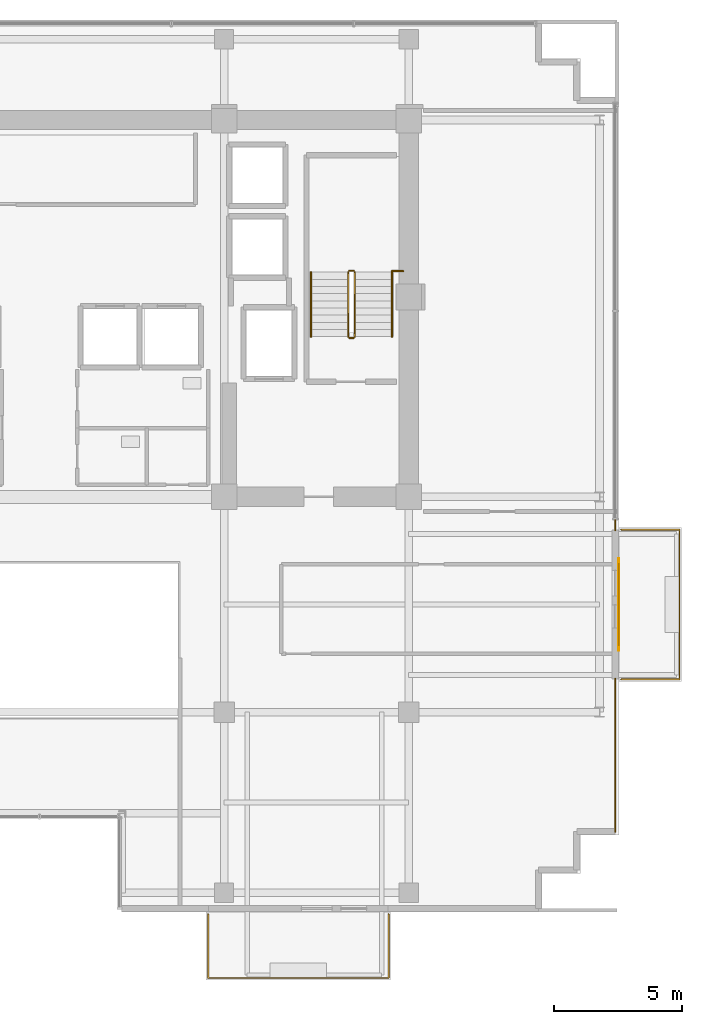
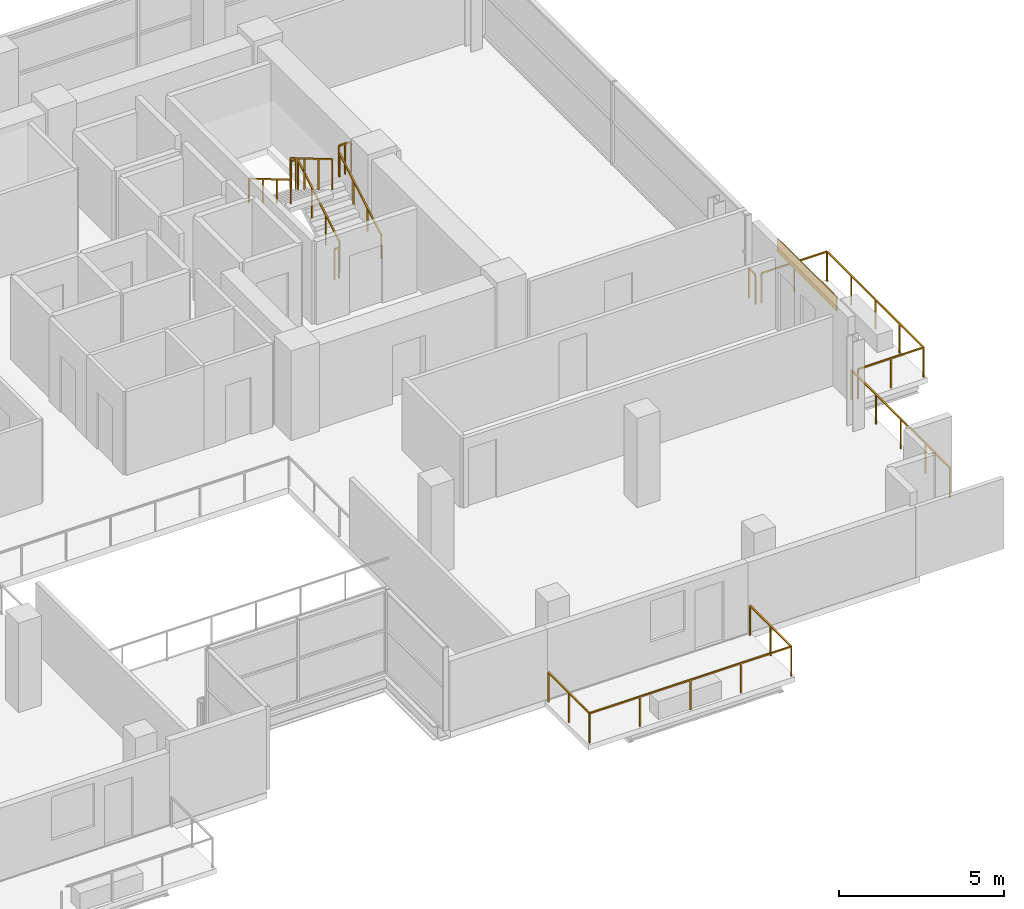
# One storey, part 24 of 25: 11 railings, 1 covering, 1 shading device.
"""IFC4 building model written with IfcOpenShell, lengths in metres."""

from ifc_helpers import new_model, si_unit, direction, frame, origin, origin_2d, place, context, subcontext, project, spatial, rectangle, extrude, source, transform, mapped, material, layer, layer_set, type_object, element, save


model = new_model("IFC4")

# Units and contexts
model_context = context("Model", 3, precision=1e-05, world=origin(), true_north=direction((0.0, 1.0)))
body_context = subcontext(model_context, "Body", "Model", "MODEL_VIEW")
ifc_project = project(units=[si_unit("LENGTHUNIT", "METRE"), si_unit("AREAUNIT", "SQUARE_METRE"), si_unit("VOLUMEUNIT", "CUBIC_METRE"), si_unit("PLANEANGLEUNIT", "RADIAN"), si_unit("MASSUNIT", "GRAM", prefix="KILO")], contexts=[model_context])

# Site, building, storey
site_placement = place(None, origin())
site = spatial("IfcSite", under=ifc_project, at=site_placement, CompositionType="ELEMENT")
building_placement = place(site_placement, origin())
building = spatial("IfcBuilding", under=site, at=building_placement, Name="Zarnakvel Exchange Tower", CompositionType="ELEMENT")
storey_placement = place(building_placement, frame((0.0, 0.0, 169.300048828125)))
storey = spatial("IfcBuildingStorey", under=building, at=storey_placement, Name="L47", CompositionType="ELEMENT", Elevation=169.300048828125)

# Railings
ifc_material_1 = material(Name="Architectural Bronze Anodised Aluminium", Category="aluminium")
railing_type_1 = type_object("IfcRailingType", Name="GR-02", PredefinedType="GUARDRAIL", material=ifc_material_1)
railing_1_placement = place(storey_placement, frame((6.580078125, -17.47998046875, -0.03515625)))
element("IfcRailing", 1, at=railing_1_placement, inside=storey, type_object=railing_type_1, Name="L47 Balcony Guardrail BAL-L47-SE", PredefinedType="GUARDRAIL", context=body_context, shape_type="SweptSolid", body=[
    extrude(rectangle(XDim=0.048095703125, YDim=0.048095703125, at=origin_2d()), frame((0.0, 0.0, 1.09619140625), z_axis=(0.0, -1.0, 0.0), x_axis=(1.0, 0.0, 0.0)), (0.0, 0.0, 1.0), 2.489990234375),
    extrude(rectangle(XDim=0.048095703125, YDim=0.048095703125, at=origin_2d()), frame((0.0, -2.489990234375, 1.09619140625), z_axis=(1.0, 0.0, 0.0), x_axis=(0.0, 1.0, 0.0)), (0.0, 0.0, 1.0), 7.0400390625),
    extrude(rectangle(XDim=0.048095703125, YDim=0.048095703125, at=origin_2d()), frame((7.0400390625, -2.489990234375, 1.09619140625), z_axis=(0.0, 1.0, 0.0), x_axis=(-1.0, 0.0, 0.0)), (0.0, 0.0, 1.0), 2.489990234375),
    extrude(rectangle(XDim=0.0419921875, YDim=0.0419921875, at=origin_2d()), origin(), (0.0, 0.0, 1.0), 1.072021484375),
    extrude(rectangle(XDim=0.0419921875, YDim=0.0419921875, at=origin_2d()), frame((0.0, -1.2451171875, 0.0)), (0.0, 0.0, 1.0), 1.072021484375),
    extrude(rectangle(XDim=0.0419921875, YDim=0.0419921875, at=origin_2d()), frame((0.0, -2.489990234375, 0.0)), (0.0, 0.0, 1.0), 1.072021484375),
    extrude(rectangle(XDim=0.0419921875, YDim=0.0419921875, at=origin_2d()), frame((1.760009765625, -2.489990234375, 0.0)), (0.0, 0.0, 1.0), 1.072021484375),
    extrude(rectangle(XDim=0.0419921875, YDim=0.0419921875, at=origin_2d()), frame((3.52001953125, -2.489990234375, 0.0)), (0.0, 0.0, 1.0), 1.072021484375),
    extrude(rectangle(XDim=0.0419921875, YDim=0.0419921875, at=origin_2d()), frame((5.280029296875, -2.489990234375, 0.0)), (0.0, 0.0, 1.0), 1.072021484375),
    extrude(rectangle(XDim=0.0419921875, YDim=0.0419921875, at=origin_2d()), frame((7.0400390625, -2.489990234375, 0.0)), (0.0, 0.0, 1.0), 1.072021484375),
    extrude(rectangle(XDim=0.0419921875, YDim=0.0419921875, at=origin_2d()), frame((7.0400390625, -1.2451171875, 0.0)), (0.0, 0.0, 1.0), 1.072021484375),
    extrude(rectangle(XDim=0.0419921875, YDim=0.0419921875, at=origin_2d()), frame((7.0400390625, 0.0, 0.0)), (0.0, 0.0, 1.0), 1.072021484375),
])
railing_2_placement = place(storey_placement, frame((22.679931640625, -8.320068359375, -0.03515625)))
element("IfcRailing", 2, at=railing_2_placement, inside=storey, type_object=railing_type_1, Name="L47 Balcony Guardrail BAL-L47-E", PredefinedType="GUARDRAIL", context=body_context, shape_type="SweptSolid", body=[
    extrude(rectangle(XDim=0.048095703125, YDim=0.048095703125, at=origin_2d()), frame((0.0, 0.0, 1.09619140625), z_axis=(1.0, 0.0, 0.0), x_axis=(0.0, 1.0, 0.0)), (0.0, 0.0, 1.0), 2.2900390625),
    extrude(rectangle(XDim=0.048095703125, YDim=0.048095703125, at=origin_2d()), frame((2.2900390625, 0.0, 1.09619140625), z_axis=(0.0, 1.0, 0.0), x_axis=(-1.0, 0.0, 0.0)), (0.0, 0.0, 1.0), 5.840087890625),
    extrude(rectangle(XDim=0.048095703125, YDim=0.048095703125, at=origin_2d()), frame((2.2900390625, 5.840087890625, 1.09619140625), z_axis=(-1.0, 0.0, 0.0), x_axis=(0.0, -1.0, 0.0)), (0.0, 0.0, 1.0), 2.2900390625),
    extrude(rectangle(XDim=0.0419921875, YDim=0.0419921875, at=origin_2d()), origin(), (0.0, 0.0, 1.0), 1.072021484375),
    extrude(rectangle(XDim=0.0419921875, YDim=0.0419921875, at=origin_2d()), frame((1.14501953125, 0.0, 0.0)), (0.0, 0.0, 1.0), 1.072021484375),
    extrude(rectangle(XDim=0.0419921875, YDim=0.0419921875, at=origin_2d()), frame((2.2900390625, 0.0, 0.0)), (0.0, 0.0, 1.0), 1.072021484375),
    extrude(rectangle(XDim=0.0419921875, YDim=0.0419921875, at=origin_2d()), frame((2.2900390625, 1.4599609375, 0.0)), (0.0, 0.0, 1.0), 1.072021484375),
    extrude(rectangle(XDim=0.0419921875, YDim=0.0419921875, at=origin_2d()), frame((2.2900390625, 2.919921875, 0.0)), (0.0, 0.0, 1.0), 1.072021484375),
    extrude(rectangle(XDim=0.0419921875, YDim=0.0419921875, at=origin_2d()), frame((2.2900390625, 4.380126953125, 0.0)), (0.0, 0.0, 1.0), 1.072021484375),
    extrude(rectangle(XDim=0.0419921875, YDim=0.0419921875, at=origin_2d()), frame((2.2900390625, 5.840087890625, 0.0)), (0.0, 0.0, 1.0), 1.072021484375),
    extrude(rectangle(XDim=0.0419921875, YDim=0.0419921875, at=origin_2d()), frame((1.14501953125, 5.840087890625, 0.0)), (0.0, 0.0, 1.0), 1.072021484375),
    extrude(rectangle(XDim=0.0419921875, YDim=0.0419921875, at=origin_2d()), frame((0.0, 5.840087890625, 0.0)), (0.0, 0.0, 1.0), 1.072021484375),
])
railing_3_placement = place(storey_placement, frame((22.4599609375, -2.10009765625, 0.0)))
element("IfcRailing", 3, at=railing_3_placement, inside=storey, type_object=railing_type_1, Name="L47 Corner Spandrel Balustrade #9", PredefinedType="GUARDRAIL", context=body_context, shape_type="SweptSolid", body=[
    extrude(rectangle(XDim=0.048095703125, YDim=0.048095703125, at=origin_2d()), frame((0.0, 0.0, 1.09619140625), z_axis=(0.0, -1.0, 0.0), x_axis=(1.0, 0.0, 0.0)), (0.0, 0.0, 1.0), 0.39990234375),
    extrude(rectangle(XDim=0.0419921875, YDim=0.0419921875, at=origin_2d()), origin(), (0.0, 0.0, 1.0), 1.072021484375),
    extrude(rectangle(XDim=0.0419921875, YDim=0.0419921875, at=origin_2d()), frame((0.0, -0.39990234375, 0.0)), (0.0, 0.0, 1.0), 1.072021484375),
])
railing_4_placement = place(storey_placement, frame((22.4599609375, -8.300048828125, 0.0)))
element("IfcRailing", 4, at=railing_4_placement, inside=storey, type_object=railing_type_1, Name="L47 Corner Spandrel Balustrade #10", PredefinedType="GUARDRAIL", context=body_context, shape_type="SweptSolid", body=[
    extrude(rectangle(XDim=0.048095703125, YDim=0.048095703125, at=origin_2d()), frame((0.0, 0.0, 1.09619140625), z_axis=(0.0, -1.0, 0.0), x_axis=(1.0, 0.0, 0.0)), (0.0, 0.0, 1.0), 5.9599609375),
    extrude(rectangle(XDim=0.0419921875, YDim=0.0419921875, at=origin_2d()), origin(), (0.0, 0.0, 1.0), 1.072021484375),
    extrude(rectangle(XDim=0.0419921875, YDim=0.0419921875, at=origin_2d()), frame((0.0, -1.489990234375, 0.0)), (0.0, 0.0, 1.0), 1.072021484375),
    extrude(rectangle(XDim=0.0419921875, YDim=0.0419921875, at=origin_2d()), frame((0.0, -2.97998046875, 0.0)), (0.0, 0.0, 1.0), 1.072021484375),
    extrude(rectangle(XDim=0.0419921875, YDim=0.0419921875, at=origin_2d()), frame((0.0, -4.469970703125, 0.0)), (0.0, 0.0, 1.0), 1.072021484375),
    extrude(rectangle(XDim=0.0419921875, YDim=0.0419921875, at=origin_2d()), frame((0.0, -5.9599609375, 0.0)), (0.0, 0.0, 1.0), 1.072021484375),
])
ifc_material_2 = material(Name="Brushed Stainless Steel", Category="steel")
railing_type_2 = type_object("IfcRailingType", Name="HR-01", PredefinedType="HANDRAIL", material=ifc_material_2)
railing_5_placement = place(storey_placement, frame((13.75, 5.050048828125, 0.1650390625)))
element("IfcRailing", 5, at=railing_5_placement, inside=storey, type_object=railing_type_2, Name="L47 ST-02 stair handrail 1", PredefinedType="HANDRAIL", context=body_context, shape_type="SweptSolid", body=[
    extrude(rectangle(XDim=0.048095703125, YDim=0.048095703125, at=origin_2d()), frame((0.0, 0.0, 0.8759765625), z_axis=(0.0, 0.861560626758, 0.507654692109), x_axis=(-1.0, 0.0, 0.0)), (0.0, 0.0, 1.0), 2.925048828125),
    extrude(rectangle(XDim=0.0419921875, YDim=0.0419921875, at=origin_2d()), origin(), (0.0, 0.0, 1.0), 0.851806640625),
    extrude(rectangle(XDim=0.0419921875, YDim=0.0419921875, at=origin_2d()), frame((0.0, 0.840087890625, 0.494873046875)), (0.0, 0.0, 1.0), 0.851806640625),
    extrude(rectangle(XDim=0.0419921875, YDim=0.0419921875, at=origin_2d()), frame((0.0, 1.679931640625, 0.989990234375)), (0.0, 0.0, 1.0), 0.851806640625),
    extrude(rectangle(XDim=0.0419921875, YDim=0.0419921875, at=origin_2d()), frame((0.0, 2.52001953125, 1.48486328125)), (0.0, 0.0, 1.0), 0.851806640625),
])
railing_6_placement = place(storey_placement, frame((10.590087890625, 7.570068359375, 1.81494140625)))
element("IfcRailing", 6, at=railing_6_placement, inside=storey, type_object=railing_type_2, Name="L47 ST-02 stair handrail 2", PredefinedType="HANDRAIL", context=body_context, shape_type="SweptSolid", body=[
    extrude(rectangle(XDim=0.048095703125, YDim=0.048095703125, at=origin_2d()), frame((0.0, 0.0, 0.8759765625), z_axis=(0.0, -0.86152411907, 0.507716645641), x_axis=(1.0, 0.0, 0.0)), (0.0, 0.0, 1.0), 2.925048828125),
    extrude(rectangle(XDim=0.0419921875, YDim=0.0419921875, at=origin_2d()), origin(), (0.0, 0.0, 1.0), 0.851806640625),
    extrude(rectangle(XDim=0.0419921875, YDim=0.0419921875, at=origin_2d()), frame((0.0, -0.840087890625, 0.4951171875)), (0.0, 0.0, 1.0), 0.851806640625),
    extrude(rectangle(XDim=0.0419921875, YDim=0.0419921875, at=origin_2d()), frame((0.0, -1.679931640625, 0.989990234375)), (0.0, 0.0, 1.0), 0.851806640625),
    extrude(rectangle(XDim=0.0419921875, YDim=0.0419921875, at=origin_2d()), frame((0.0, -2.52001953125, 1.485107421875)), (0.0, 0.0, 1.0), 0.851806640625),
])
railing_type_3 = type_object("IfcRailingType", Name="SG-01", PredefinedType="GUARDRAIL", material=ifc_material_1)
railing_7_placement = place(storey_placement, frame((12.300048828125, 5.050048828125, 0.1650390625)))
element("IfcRailing", 7, at=railing_7_placement, inside=storey, type_object=railing_type_3, Name="L47 ST-02 stair guard 1", PredefinedType="GUARDRAIL", context=body_context, shape_type="SweptSolid", body=[
    extrude(rectangle(XDim=0.048095703125, YDim=0.048095703125, at=origin_2d()), frame((0.0, 0.0, 1.1259765625), z_axis=(0.0, 0.861560626758, 0.507654692109), x_axis=(-1.0, 0.0, 0.0)), (0.0, 0.0, 1.0), 2.925048828125),
    extrude(rectangle(XDim=0.0419921875, YDim=0.0419921875, at=origin_2d()), origin(), (0.0, 0.0, 1.0), 1.101806640625),
    extrude(rectangle(XDim=0.0419921875, YDim=0.0419921875, at=origin_2d()), frame((0.0, 0.840087890625, 0.494873046875)), (0.0, 0.0, 1.0), 1.101806640625),
    extrude(rectangle(XDim=0.0419921875, YDim=0.0419921875, at=origin_2d()), frame((0.0, 1.679931640625, 0.989990234375)), (0.0, 0.0, 1.0), 1.101806640625),
    extrude(rectangle(XDim=0.0419921875, YDim=0.0419921875, at=origin_2d()), frame((0.0, 2.52001953125, 1.48486328125)), (0.0, 0.0, 1.0), 1.101806640625),
])
railing_8_placement = place(storey_placement, frame((12.25, 7.6201171875, 1.64990234375)))
element("IfcRailing", 8, at=railing_8_placement, inside=storey, type_object=railing_type_3, Name="L47 ST-02 stair guard 2", PredefinedType="GUARDRAIL", context=body_context, shape_type="SweptSolid", body=[
    extrude(rectangle(XDim=0.048095703125, YDim=0.048095703125, at=origin_2d()), frame((0.0, 0.0, 1.1259765625), z_axis=(-1.0, 0.0, 0.0), x_axis=(0.0, -1.0, 0.0)), (0.0, 0.0, 1.0), 0.159912109375),
    extrude(rectangle(XDim=0.0419921875, YDim=0.0419921875, at=origin_2d()), origin(), (0.0, 0.0, 1.0), 1.101806640625),
    extrude(rectangle(XDim=0.0419921875, YDim=0.0419921875, at=origin_2d()), frame((-0.159912109375, 0.0, 0.0)), (0.0, 0.0, 1.0), 1.101806640625),
])
railing_9_placement = place(storey_placement, frame((12.0400390625, 7.570068359375, 1.81494140625)))
element("IfcRailing", 9, at=railing_9_placement, inside=storey, type_object=railing_type_3, Name="L47 ST-02 stair guard 3", PredefinedType="GUARDRAIL", context=body_context, shape_type="SweptSolid", body=[
    extrude(rectangle(XDim=0.048095703125, YDim=0.048095703125, at=origin_2d()), frame((0.0, 0.0, 1.1259765625), z_axis=(0.0, -0.86152411907, 0.507716645641), x_axis=(1.0, 0.0, 0.0)), (0.0, 0.0, 1.0), 2.925048828125),
    extrude(rectangle(XDim=0.0419921875, YDim=0.0419921875, at=origin_2d()), origin(), (0.0, 0.0, 1.0), 1.101806640625),
    extrude(rectangle(XDim=0.0419921875, YDim=0.0419921875, at=origin_2d()), frame((0.0, -0.840087890625, 0.4951171875)), (0.0, 0.0, 1.0), 1.101806640625),
    extrude(rectangle(XDim=0.0419921875, YDim=0.0419921875, at=origin_2d()), frame((0.0, -1.679931640625, 0.989990234375)), (0.0, 0.0, 1.0), 1.101806640625),
    extrude(rectangle(XDim=0.0419921875, YDim=0.0419921875, at=origin_2d()), frame((0.0, -2.52001953125, 1.485107421875)), (0.0, 0.0, 1.0), 1.101806640625),
])
railing_10_placement = place(storey_placement, frame((12.25, 5.0, 0.0)))
element("IfcRailing", 10, at=railing_10_placement, inside=storey, type_object=railing_type_3, Name="L47 ST-02 stair guard 4", PredefinedType="GUARDRAIL", context=body_context, shape_type="SweptSolid", body=[
    extrude(rectangle(XDim=0.048095703125, YDim=0.048095703125, at=origin_2d()), frame((0.0, 0.0, 1.1259765625), z_axis=(-1.0, 0.0, 0.0), x_axis=(0.0, -1.0, 0.0)), (0.0, 0.0, 1.0), 0.159912109375),
    extrude(rectangle(XDim=0.0419921875, YDim=0.0419921875, at=origin_2d()), origin(), (0.0, 0.0, 1.0), 1.101806640625),
    extrude(rectangle(XDim=0.0419921875, YDim=0.0419921875, at=origin_2d()), frame((-0.159912109375, 0.0, 0.0)), (0.0, 0.0, 1.0), 1.101806640625),
])
railing_11_placement = place(storey_placement, frame((13.75, 7.610107421875, 1.64990234375)))
element("IfcRailing", 11, at=railing_11_placement, inside=storey, type_object=railing_type_3, Name="L47 ST-02 Landing Slot Guardrail", PredefinedType="GUARDRAIL", context=body_context, shape_type="SweptSolid", body=[
    extrude(rectangle(XDim=0.048095703125, YDim=0.048095703125, at=origin_2d()), frame((0.0, 0.0, 1.1259765625), z_axis=(1.0, 0.0, 0.0), x_axis=(0.0, 1.0, 0.0)), (0.0, 0.0, 1.0), 0.429931640625),
    extrude(rectangle(XDim=0.0419921875, YDim=0.0419921875, at=origin_2d()), origin(), (0.0, 0.0, 1.0), 1.101806640625),
    extrude(rectangle(XDim=0.0419921875, YDim=0.0419921875, at=origin_2d()), frame((0.21484375, 0.0, 0.0)), (0.0, 0.0, 1.0), 1.101806640625),
    extrude(rectangle(XDim=0.0419921875, YDim=0.0419921875, at=origin_2d()), frame((0.429931640625, 0.0, 0.0)), (0.0, 0.0, 1.0), 1.101806640625),
])

# Covering
ifc_material_3 = material(Name="Warm Sandstone Terracotta Spandrel Tile", Category="masonry")
ifc_layer_1 = layer(ifc_material_3, 0.031982421875)
ifc_layer_set_1 = layer_set([ifc_layer_1], Name="Warm Sandstone Terracotta Spandrel Tile")
covering_type = type_object("IfcCoveringType", Name="CL-02", PredefinedType="CLADDING", material=ifc_layer_set_1)
shared_shape_1 = source(origin(), body_context, "Body", "SweptSolid", [
    extrude(rectangle(XDim=3.60009765625, YDim=0.031982421875, at=origin_2d()), origin(), (0.0, 0.0, 1.0), 0.4951171875),
])
covering_placement = place(storey_placement, frame((22.593994140625, -5.39990234375, 2.559814453125), z_axis=(0.0, 0.0, 1.0), x_axis=(0.0, -1.0, 0.0)))
element("IfcCovering", 12, at=covering_placement, inside=storey, type_object=covering_type, Name="L47 Ceramic Spandrel Tilework CL-02", PredefinedType="CLADDING", context=body_context, shape_type="MappedRepresentation", body=[
    mapped(shared_shape_1, transform((0.0, 0.0, 0.0), x_axis=(1.0, 0.0, 0.0), y_axis=(0.0, 1.0, 0.0), z_axis=(0.0, 0.0, 1.0), scale=1.0)),
])

# Shading device
ifc_material_4 = material(Name="Perforated Architectural Bronze Screen", Category="aluminium")
ifc_layer_2 = layer(ifc_material_4, 0.044921875)
ifc_layer_set_2 = layer_set([ifc_layer_2], Name="Perforated Architectural Bronze Screen")
shading_device_type = type_object("IfcShadingDeviceType", Name="SS-01", PredefinedType="JALOUSIE", material=ifc_layer_set_2)
shared_shape_2 = source(origin(), body_context, "Body", "SweptSolid", [
    extrude(rectangle(XDim=3.199951171875, YDim=0.044921875, at=origin_2d()), origin(), (0.0, 0.0, 1.0), 0.4951171875),
])
shading_device_placement = place(storey_placement, frame((22.6005859375, -5.39990234375, 2.559814453125), z_axis=(0.0, 0.0, 1.0), x_axis=(0.0, -1.0, 0.0)))
element("IfcShadingDevice", 13, at=shading_device_placement, inside=storey, type_object=shading_device_type, Name="L47 Bronze Solar Shading Screen SS-01", PredefinedType="JALOUSIE", context=body_context, shape_type="MappedRepresentation", body=[
    mapped(shared_shape_2, transform((0.0, 0.0, 0.0), x_axis=(1.0, 0.0, 0.0), y_axis=(0.0, 1.0, 0.0), z_axis=(0.0, 0.0, 1.0), scale=1.0)),
])

save(model, "model.ifc")
